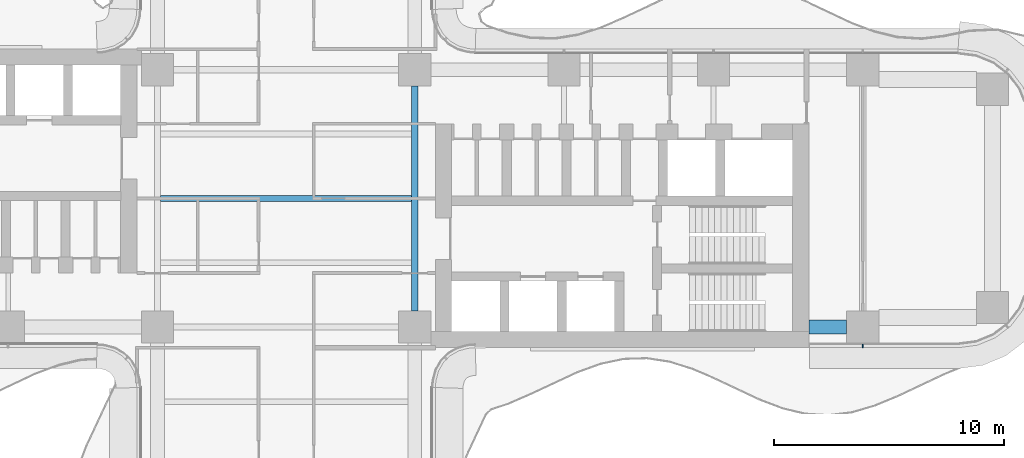
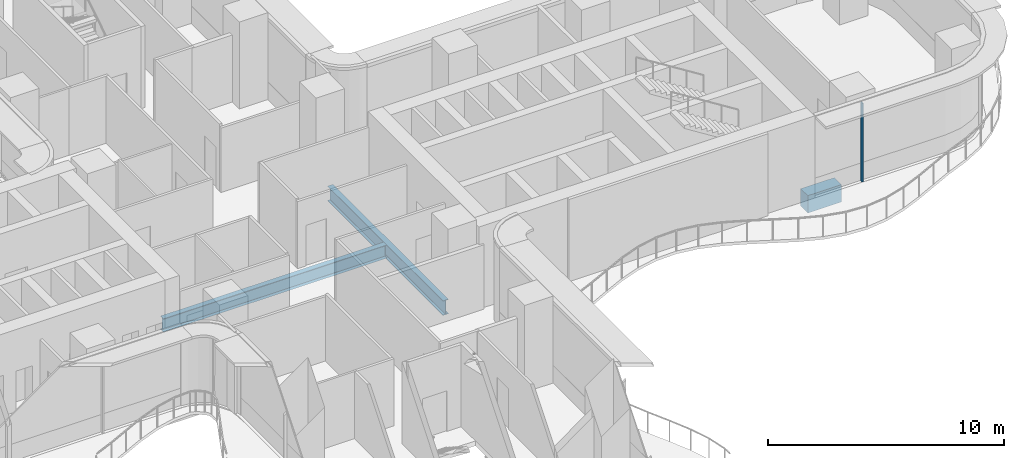
# One storey, part 6 of 23: 3 beams, 1 member, 1 element without a shape of its own.
"""IFC4 building model written with IfcOpenShell, lengths in metres."""

from ifc_helpers import new_model, si_unit, direction, frame, origin, origin_2d, place, context, subcontext, project, spatial, rectangle, i_section, extrude, source, transform, mapped, material, layer, layer_set, material_profile, profile_set, type_object, element, aggregate, save


model = new_model("IFC4")

# Units and contexts
model_context = context("Model", 3, precision=1e-05, world=origin(), true_north=direction((0.0, 1.0)))
body_context = subcontext(model_context, "Body", "Model", "MODEL_VIEW")
ifc_project = project(units=[si_unit("LENGTHUNIT", "METRE"), si_unit("AREAUNIT", "SQUARE_METRE"), si_unit("VOLUMEUNIT", "CUBIC_METRE"), si_unit("PLANEANGLEUNIT", "RADIAN"), si_unit("MASSUNIT", "GRAM", prefix="KILO")], contexts=[model_context])

# Site, building, storey
site_placement = place(None, origin())
site = spatial("IfcSite", under=ifc_project, at=site_placement, CompositionType="ELEMENT")
building_placement = place(site_placement, origin())
building = spatial("IfcBuilding", under=site, at=building_placement, Name="Trellis Farm Tower", CompositionType="ELEMENT")
storey_placement = place(building_placement, frame((0.0, 0.0, 74.5)))
storey = spatial("IfcBuildingStorey", under=building, at=storey_placement, Name="L15", CompositionType="ELEMENT", Elevation=74.5)

# Beams
ifc_material_1 = material(Name="Steel S355", Category="steel")
ifc_material_profile_1 = material_profile(ifc_material_1, i_section(OverallWidth=0.253662109375, OverallDepth=0.68359375, WebThickness=0.012451171875, FlangeThickness=0.021728515625, FilletRadius=0.01513671875, at=origin_2d()), Name="UB 686x254x140")
ifc_profile_set_1 = profile_set([ifc_material_profile_1], Name="Steel S355")
beam_type_1 = type_object("IfcBeamType", Name="UB 686x254x140 joist", PredefinedType="JOIST", material=ifc_profile_set_1)
shared_shape_1 = source(origin(), body_context, "Body", "SweptSolid", [
    extrude(i_section(OverallWidth=0.253662109375, OverallDepth=0.68359375, WebThickness=0.012451171875, FlangeThickness=0.021728515625, FilletRadius=0.01513671875, at=origin_2d()), origin(), (0.0, 0.0, 1.0), 10.93310546875),
])
beam_1_placement = place(storey_placement, frame((-5.466552734375, 0.0, -0.591796875), z_axis=(1.0, 0.0, 0.0), x_axis=(0.0, 1.0, 0.0)))
element("IfcBeam", 1, at=beam_1_placement, inside=storey, type_object=beam_type_1, Name="Floor beam", PredefinedType="JOIST", context=body_context, shape_type="MappedRepresentation", body=[
    mapped(shared_shape_1, transform((0.0, 0.0, 0.0))),
])
ifc_material_profile_2 = material_profile(ifc_material_1, i_section(OverallWidth=0.2666015625, OverallDepth=0.76220703125, WebThickness=0.014404296875, FlangeThickness=0.021484375, FilletRadius=0.0166015625, at=origin_2d()), Name="UB 762x267x173")
ifc_profile_set_2 = profile_set([ifc_material_profile_2], Name="Steel S355")
beam_type_2 = type_object("IfcBeamType", Name="UB 762x267x173", PredefinedType="BEAM", material=ifc_profile_set_2)
shared_shape_2 = source(origin(), body_context, "Body", "SweptSolid", [
    extrude(i_section(OverallWidth=0.2666015625, OverallDepth=0.76220703125, WebThickness=0.014404296875, FlangeThickness=0.021484375, FilletRadius=0.0166015625, at=origin_2d()), origin(), (0.0, 0.0, 1.0), 9.7998046875),
])
beam_2_placement = place(storey_placement, frame((5.60009765625, -4.89990234375, -0.631103515625), z_axis=(0.0, 1.0, 0.0), x_axis=(-1.0, 0.0, 0.0)))
element("IfcBeam", 2, at=beam_2_placement, inside=storey, type_object=beam_type_2, Name="Girder", PredefinedType="BEAM", context=body_context, shape_type="MappedRepresentation", body=[
    mapped(shared_shape_2, transform((0.0, 0.0, 0.0))),
])
ifc_material_2 = material(Name="Concrete C60/75", Category="concrete")
ifc_material_profile_3 = material_profile(ifc_material_2, rectangle(XDim=0.60009765625, YDim=0.89990234375, at=origin_2d()), Name="RC spandrel beam 600x900 C60/75")
ifc_profile_set_3 = profile_set([ifc_material_profile_3], Name="Concrete C60/75")
beam_type_3 = type_object("IfcBeamType", Name="RC spandrel beam 600x900 C60/75", PredefinedType="SPANDREL", material=ifc_profile_set_3)
shared_shape_3 = source(origin(), body_context, "Body", "SweptSolid", [
    extrude(rectangle(XDim=0.60009765625, YDim=0.89990234375, at=origin_2d()), origin(), (0.0, 0.0, 1.0), 1.64990234375),
])
beam_3_placement = place(storey_placement, frame((22.75, -5.60009765625, -0.699951171875), z_axis=(1.0, 0.0, 0.0), x_axis=(0.0, 1.0, 0.0)))
element("IfcBeam", 3, at=beam_3_placement, inside=storey, type_object=beam_type_3, Name="Girder", PredefinedType="SPANDREL", context=body_context, shape_type="MappedRepresentation", body=[
    mapped(shared_shape_3, transform((0.0, 0.0, 0.0))),
])

# Curtain wall, member
ifc_material_3 = material(Name="Aluminium and glass curtain wall", Category="aluminium")
ifc_layer = layer(ifc_material_3, 0.18994140625)
ifc_layer_set = layer_set([ifc_layer], Name="RIBBON CURTAIN WALL CW1")
curtain_wall_type = type_object("IfcCurtainWallType", Name="RIBBON CURTAIN WALL CW1", PredefinedType="NOTDEFINED", material=ifc_layer_set)
curtain_wall_placement = place(storey_placement, origin())
curtain_wall = element("IfcCurtainWall", 4, at=curtain_wall_placement, inside=storey, type_object=curtain_wall_type, Name="CW1 006", PredefinedType="NOTDEFINED")
ifc_material_4 = material(Name="Aluminium extrusion 6063-T6", Category="aluminium")
ifc_material_profile_4 = material_profile(ifc_material_4, rectangle(XDim=0.06005859375, YDim=0.14990234375, at=origin_2d()), Name="MULLION 60x150")
ifc_profile_set_4 = profile_set([ifc_material_profile_4], Name="Aluminium extrusion 6063-T6")
member_type = type_object("IfcMemberType", Name="CW1 MULLION 60x150", PredefinedType="MULLION", material=ifc_profile_set_4)
shared_shape_4 = source(origin(), body_context, "Body", "SweptSolid", [
    extrude(rectangle(XDim=0.06005859375, YDim=0.14990234375, at=origin_2d()), origin(), (0.0, 0.0, 1.0), 4.070068359375),
])
member_placement = place(storey_placement, frame((25.10009765625, -6.425048828125, 0.0), z_axis=(0.0, 0.0, 1.0), x_axis=(1.0, 0.0, 0.0)))
member = element("IfcMember", 5, at=member_placement, type_object=member_type, Name="MU1 006-01", PredefinedType="MULLION", context=body_context, shape_type="MappedRepresentation", body=[
    mapped(shared_shape_4, transform((0.0, 0.0, 0.0))),
])
aggregate(curtain_wall, [member])

save(model, "model.ifc")
